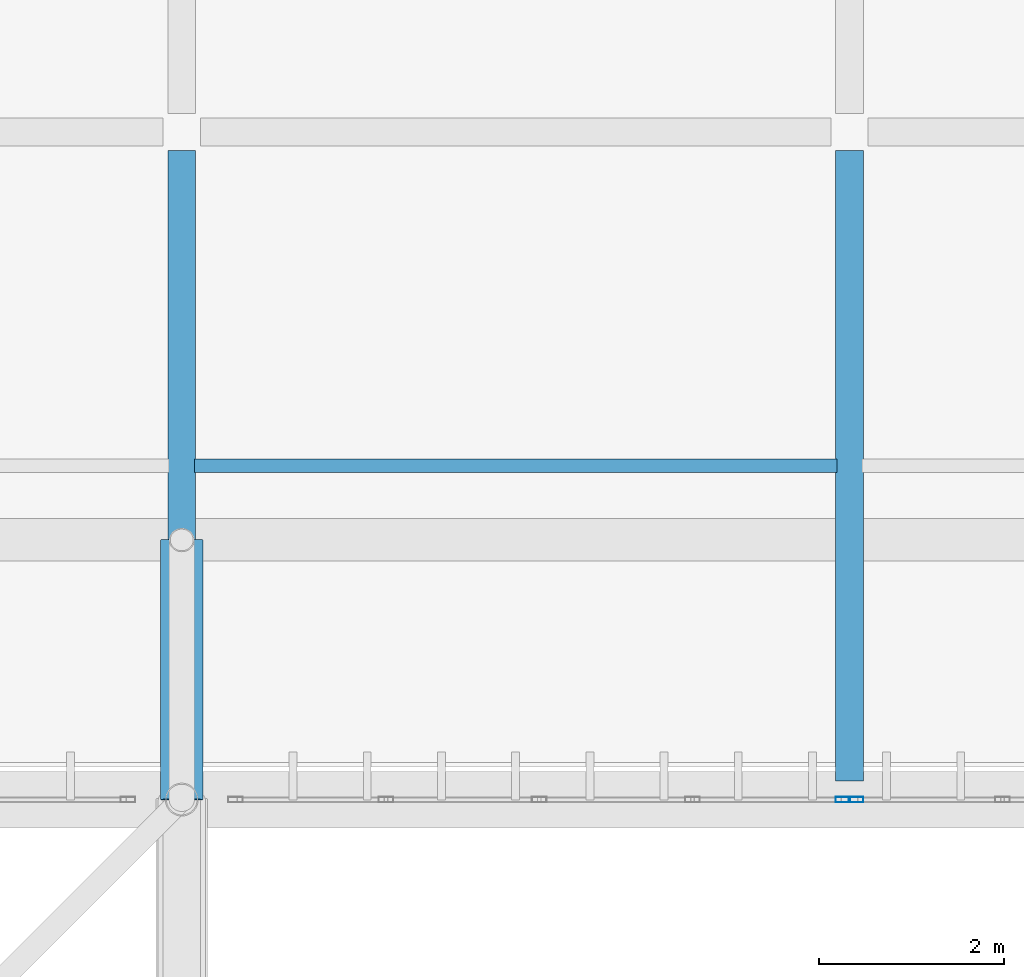
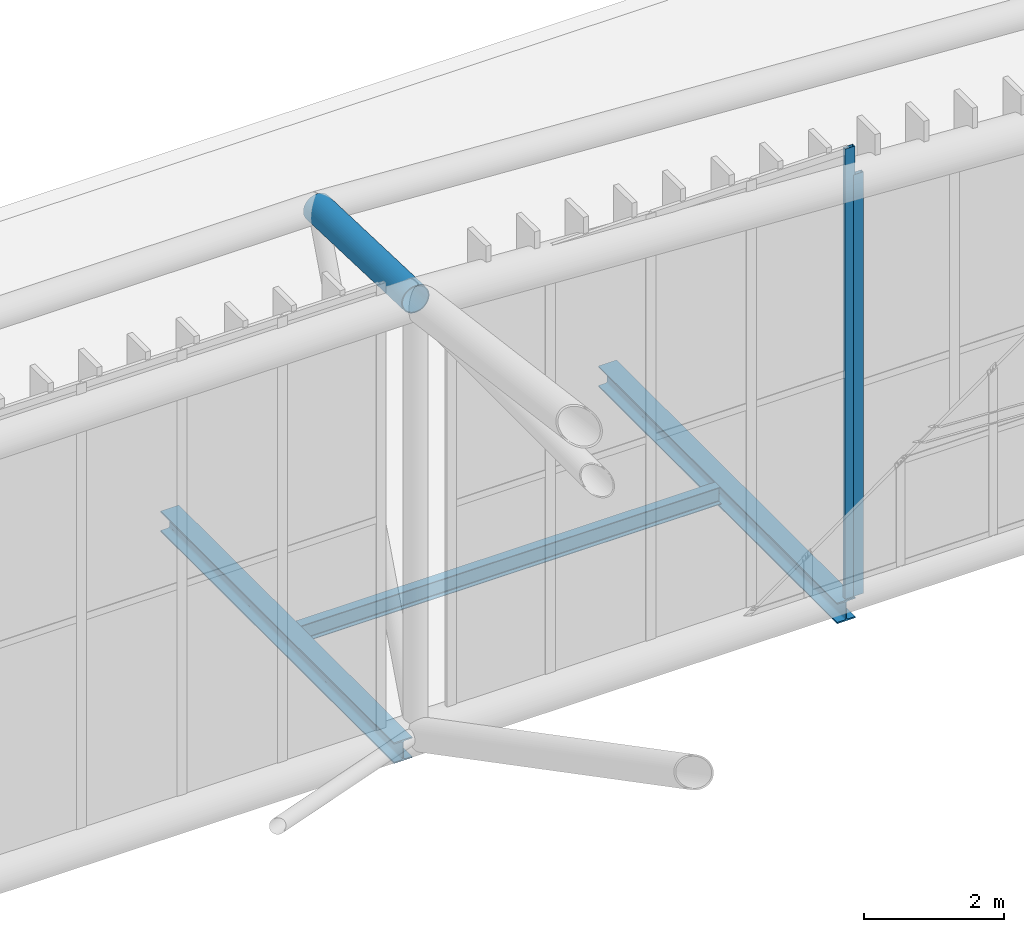
# One storey, part 327 of 397: 4 beams, 2 members, 2 elements without a shape of their own.
"""IFC4 building model written with IfcOpenShell, lengths in metres."""

from ifc_helpers import new_model, si_unit, direction, frame, origin, origin_2d, place, context, subcontext, project, spatial, hollow_rectangle, hollow_circle, i_section, extrude, material, material_profile, profile_set, type_object, element, aggregate, save


model = new_model("IFC4")

# Units and contexts
model_context = context("Model", 3, precision=1e-05, world=origin(), true_north=direction((0.0, 1.0)))
body_context = subcontext(model_context, "Body", "Model", "MODEL_VIEW")
ifc_project = project(units=[si_unit("LENGTHUNIT", "METRE"), si_unit("AREAUNIT", "SQUARE_METRE"), si_unit("VOLUMEUNIT", "CUBIC_METRE"), si_unit("PLANEANGLEUNIT", "RADIAN"), si_unit("MASSUNIT", "GRAM", prefix="KILO")], contexts=[model_context])

# Site, building, storey
site_placement = place(None, origin())
site = spatial("IfcSite", under=ifc_project, at=site_placement, CompositionType="ELEMENT")
building_placement = place(site_placement, origin())
building = spatial("IfcBuilding", under=site, at=building_placement, Name="Qandorah Velis Arena", CompositionType="ELEMENT")
storey_placement = place(building_placement, frame((0.0, 0.0, 27.5)))
storey = spatial("IfcBuildingStorey", under=building, at=storey_placement, Name="RF", CompositionType="ELEMENT", Elevation=27.5)

# Curtain wall, member
ifc_material_1 = material(Name="Solar-control low-E double glazing", Category="glass")
curtain_wall_type_1 = type_object("IfcCurtainWallType", Name="ARC-CW-SYS05", PredefinedType="USERDEFINED", material=ifc_material_1)
curtain_wall_1_placement = place(storey_placement, origin())
curtain_wall_1 = element("IfcCurtainWall", 1, at=curtain_wall_1_placement, inside=storey, type_object=curtain_wall_type_1, Name="Unitised curtain wall CROWN-4-05S1", ObjectType="UNITISED CURTAIN WALL", PredefinedType="USERDEFINED")
ifc_material_2 = material(Name="Champagne-bronze anodized aluminium 6063-T6", Category="aluminium")
ifc_material_profile_1 = material_profile(ifc_material_2, hollow_rectangle(XDim=0.06005859375, YDim=0.159912109375, WallThickness=0.00341796875, at=origin_2d()), Name="ALU MULLION 60x160")
ifc_profile_set_1 = profile_set([ifc_material_profile_1], Name="Champagne-bronze anodized aluminium 6063-T6")
member_type = type_object("IfcMemberType", Name="ARC-CWM-160", PredefinedType="MULLION", material=ifc_profile_set_1)
member_1_placement = place(storey_placement, frame((79.1298828125, 115.199951171875, -0.014892578125), z_axis=(0.0, 0.0, 1.0), x_axis=(0.0, 1.0, 0.0)))
member_1 = element("IfcMember", 2, at=member_1_placement, type_object=member_type, Name="CW05 mullion 5", PredefinedType="MULLION", context=body_context, shape_type="SweptSolid", body=[
    extrude(hollow_rectangle(XDim=0.06005859375, YDim=0.159912109375, WallThickness=0.00341796875, at=origin_2d()), origin(), (0.0, 0.0, 1.0), 7.826416015625),
])
aggregate(curtain_wall_1, [member_1])

curtain_wall_type_2 = type_object("IfcCurtainWallType", Name="ARC-CW-SYS06", PredefinedType="USERDEFINED", material=ifc_material_1)
curtain_wall_2_placement = place(storey_placement, origin())
curtain_wall_2 = element("IfcCurtainWall", 3, at=curtain_wall_2_placement, inside=storey, type_object=curtain_wall_type_2, Name="Unitised curtain wall CROWN-4-05S2", ObjectType="UNITISED CURTAIN WALL", PredefinedType="USERDEFINED")
member_2_placement = place(storey_placement, frame((79.27001953125, 115.199951171875, -0.014892578125), z_axis=(0.0, 0.0, 1.0), x_axis=(0.0, 1.0, 0.0)))
member_2 = element("IfcMember", 4, at=member_2_placement, type_object=member_type, Name="CW06 mullion 1", PredefinedType="MULLION", context=body_context, shape_type="SweptSolid", body=[
    extrude(hollow_rectangle(XDim=0.06005859375, YDim=0.159912109375, WallThickness=0.00341796875, at=origin_2d()), origin(), (0.0, 0.0, 1.0), 7.32958984375),
])
aggregate(curtain_wall_2, [member_2])

# Beams
ifc_material_3 = material(Name="Steel S355", Category="steel")
ifc_material_profile_2 = material_profile(ifc_material_3, i_section(OverallWidth=0.300048828125, OverallDepth=0.360107421875, WebThickness=0.012451171875, FlangeThickness=0.0224609375, FilletRadius=0.027099609375, at=origin_2d()), Name="HEB 360")
ifc_profile_set_2 = profile_set([ifc_material_profile_2], Name="Steel S355")
beam_type_1 = type_object("IfcBeamType", Name="STR-BM-HEB360", PredefinedType="BEAM", material=ifc_profile_set_2)
beam_1_placement = place(storey_placement, frame((72.0, 115.550048828125, -0.39990234375), z_axis=(0.0, 1.0, 0.0), x_axis=(-1.0, 0.0, 0.0)))
element("IfcBeam", 5, at=beam_1_placement, inside=storey, type_object=beam_type_1, Name="Primary floor girder RF Y-113", PredefinedType="BEAM", context=body_context, shape_type="SweptSolid", body=[
    extrude(i_section(OverallWidth=0.300048828125, OverallDepth=0.360107421875, WebThickness=0.012451171875, FlangeThickness=0.0224609375, FilletRadius=0.027099609375, at=origin_2d()), origin(), (0.0, 0.0, 1.0), 6.64990234375),
])
beam_2_placement = place(storey_placement, frame((79.199951171875, 115.39990234375, -0.39990234375), z_axis=(0.0, 1.0, 0.0), x_axis=(-1.0, 0.0, 0.0)))
element("IfcBeam", 6, at=beam_2_placement, inside=storey, type_object=beam_type_1, Name="Primary floor girder RF Y-117", PredefinedType="BEAM", context=body_context, shape_type="SweptSolid", body=[
    extrude(i_section(OverallWidth=0.300048828125, OverallDepth=0.360107421875, WebThickness=0.012451171875, FlangeThickness=0.0224609375, FilletRadius=0.027099609375, at=origin_2d()), origin(), (0.0, 0.0, 1.0), 6.800048828125),
])
ifc_material_profile_3 = material_profile(ifc_material_3, i_section(OverallWidth=0.14990234375, OverallDepth=0.300048828125, WebThickness=0.007080078125, FlangeThickness=0.0107421875, FilletRadius=0.014892578125, at=origin_2d()), Name="IPE 300")
ifc_profile_set_3 = profile_set([ifc_material_profile_3], Name="Steel S355")
beam_type_2 = type_object("IfcBeamType", Name="STR-JST-IPE300", PredefinedType="JOIST", material=ifc_profile_set_3)
beam_3_placement = place(storey_placement, frame((72.135009765625, 118.800048828125, -0.3701171875), z_axis=(1.0, 0.0, 0.0), x_axis=(0.0, 1.0, 0.0)))
element("IfcBeam", 7, at=beam_3_placement, inside=storey, type_object=beam_type_2, Name="Secondary floor joist RF-039", PredefinedType="JOIST", context=body_context, shape_type="SweptSolid", body=[
    extrude(i_section(OverallWidth=0.14990234375, OverallDepth=0.300048828125, WebThickness=0.007080078125, FlangeThickness=0.0107421875, FilletRadius=0.014892578125, at=origin_2d()), origin(), (0.0, 0.0, 1.0), 6.929931640625),
])
ifc_material_profile_4 = material_profile(ifc_material_3, hollow_circle(Radius=0.228515625, WallThickness=0.01611328125, at=origin_2d()), Name="CHS 457x16")
ifc_profile_set_4 = profile_set([ifc_material_profile_4], Name="Steel S355")
beam_type_3 = type_object("IfcBeamType", Name="STR-SFC-CHS457X16", PredefinedType="USERDEFINED", material=ifc_profile_set_4)
beam_4_placement = place(storey_placement, frame((72.0, 115.199951171875, 7.65576171875), z_axis=(0.0, 0.999364739976, -0.035638693753), x_axis=(-1.0, 0.0, 0.0)))
element("IfcBeam", 8, at=beam_4_placement, inside=storey, type_object=beam_type_3, Name="Space frame eave outrigger N-4", ObjectType="ROOF TRUSS", PredefinedType="USERDEFINED", context=body_context, shape_type="SweptSolid", body=[
    extrude(hollow_circle(Radius=0.228515625, WallThickness=0.01611328125, at=origin_2d()), origin(), (0.0, 0.0, 1.0), 2.8017578125),
])

save(model, "model.ifc")
